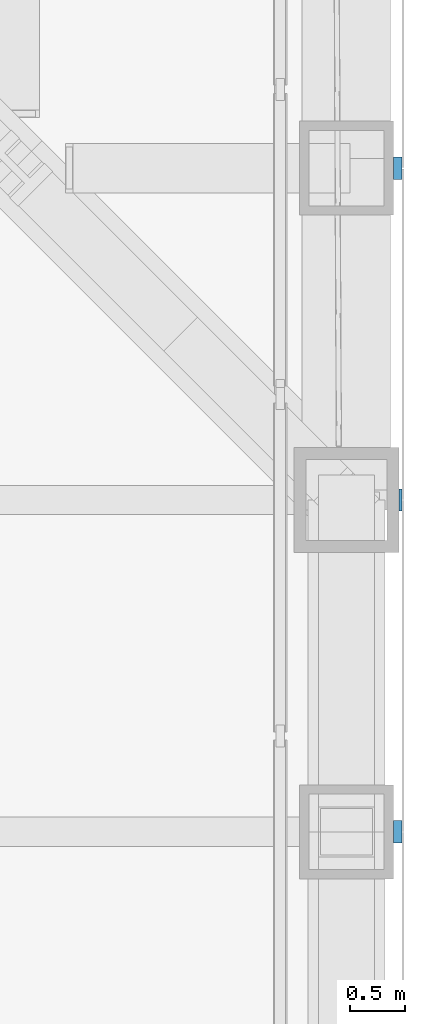
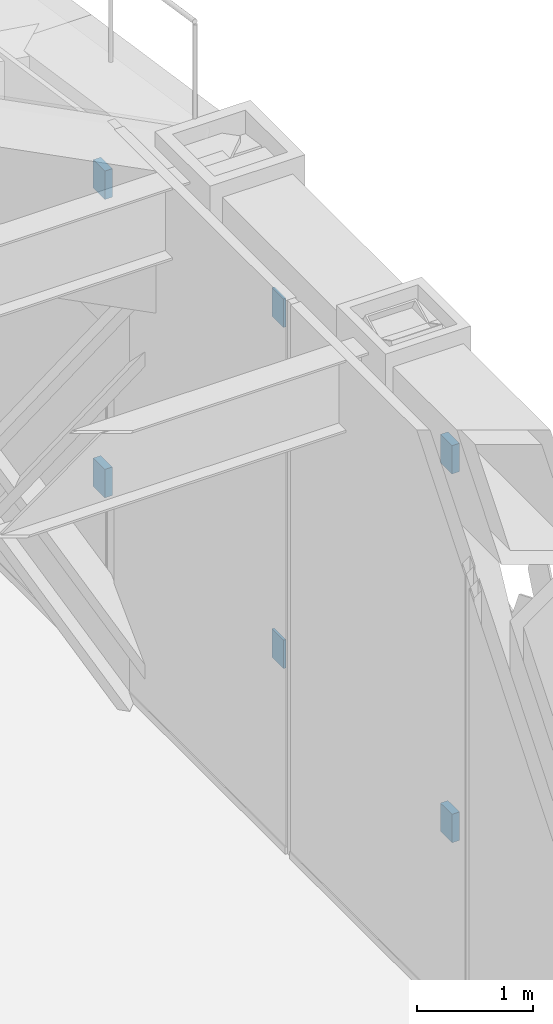
# One storey, part 17 of 31: 6 discrete accessories.
"""IFC4 building model written with IfcOpenShell, lengths in metres."""

from ifc_helpers import new_model, si_unit, direction, frame, origin, origin_2d, place, context, subcontext, project, spatial, rectangle, extrude, material, type_object, element, save


model = new_model("IFC4")

# Units and contexts
model_context = context("Model", 3, precision=1e-05, world=origin(), true_north=direction((0.0, 1.0)))
body_context = subcontext(model_context, "Body", "Model", "MODEL_VIEW")
ifc_project = project(units=[si_unit("LENGTHUNIT", "METRE"), si_unit("AREAUNIT", "SQUARE_METRE"), si_unit("VOLUMEUNIT", "CUBIC_METRE"), si_unit("PLANEANGLEUNIT", "RADIAN"), si_unit("MASSUNIT", "GRAM", prefix="KILO")], contexts=[model_context])

# Site, building, storey
site_placement = place(None, origin())
site = spatial("IfcSite", under=ifc_project, at=site_placement, CompositionType="ELEMENT")
building_placement = place(site_placement, origin())
building = spatial("IfcBuilding", under=site, at=building_placement, Name="Chuquiago Exchange Tower", CompositionType="ELEMENT")
storey_placement = place(building_placement, frame((0.0, 0.0, 96.300048828125)))
storey = spatial("IfcBuildingStorey", under=building, at=storey_placement, Name="L20", CompositionType="ELEMENT", Elevation=96.300048828125)

# Discrete accessories
ifc_material_1 = material(Name="Stainless steel plate bracket", Category="steel")
discrete_accessory_type_1 = type_object("IfcDiscreteAccessoryType", Name="GB4 cladding bracket 75", PredefinedType="BRACKET", material=ifc_material_1)
for number, where, z_axis, x_axis, name in (
    (1, (45.46240234375, 24.0, 0.35009765625), (0.0, 0.0, 1.0), (0.0, 1.0, 0.0), "Cladding bracket L20 E"),
    (2, (45.46240234375, 24.0, 4.23974609375), (0.0, 0.0, 1.0), (0.0, 1.0, 0.0), "Cladding bracket L20 E"),
    (3, (45.46240234375, 30.0, 0.35009765625), (0.0, 0.0, 1.0), (0.0, 1.0, 0.0), "Cladding bracket L20 E"),
    (4, (45.46240234375, 30.0, 3.498046875), (0.0, 0.0, 1.0), (0.0, 1.0, 0.0), "Cladding bracket L20 E"),
):
    element("IfcDiscreteAccessory", number, at=place(storey_placement, frame(where, z_axis=z_axis, x_axis=x_axis)), inside=storey, type_object=discrete_accessory_type_1, Name=name, PredefinedType="BRACKET", context=body_context, shape_type="SweptSolid", body=[
        extrude(rectangle(XDim=0.199951171875, YDim=0.074951171875, at=origin_2d()), origin(), (0.0, 0.0, 1.0), 0.300048828125),
    ])
ifc_material_2 = material(Name="Stainless steel plate bracket", Category="steel")
discrete_accessory_type_2 = type_object("IfcDiscreteAccessoryType", Name="GB7 cladding bracket 25", PredefinedType="BRACKET", material=ifc_material_2)
for number, where, z_axis, x_axis, name in (
    (5, (45.487548828125, 27.0, 0.35009765625), (0.0, 0.0, 1.0), (0.0, 1.0, 0.0), "Cladding bracket L20 E"),
    (6, (45.487548828125, 27.0, 3.94921875), (0.0, 0.0, 1.0), (0.0, 1.0, 0.0), "Cladding bracket L20 E"),
):
    element("IfcDiscreteAccessory", number, at=place(storey_placement, frame(where, z_axis=z_axis, x_axis=x_axis)), inside=storey, type_object=discrete_accessory_type_2, Name=name, PredefinedType="BRACKET", context=body_context, shape_type="SweptSolid", body=[
        extrude(rectangle(XDim=0.199951171875, YDim=0.02490234375, at=origin_2d()), origin(), (0.0, 0.0, 1.0), 0.300048828125),
    ])

save(model, "model.ifc")
